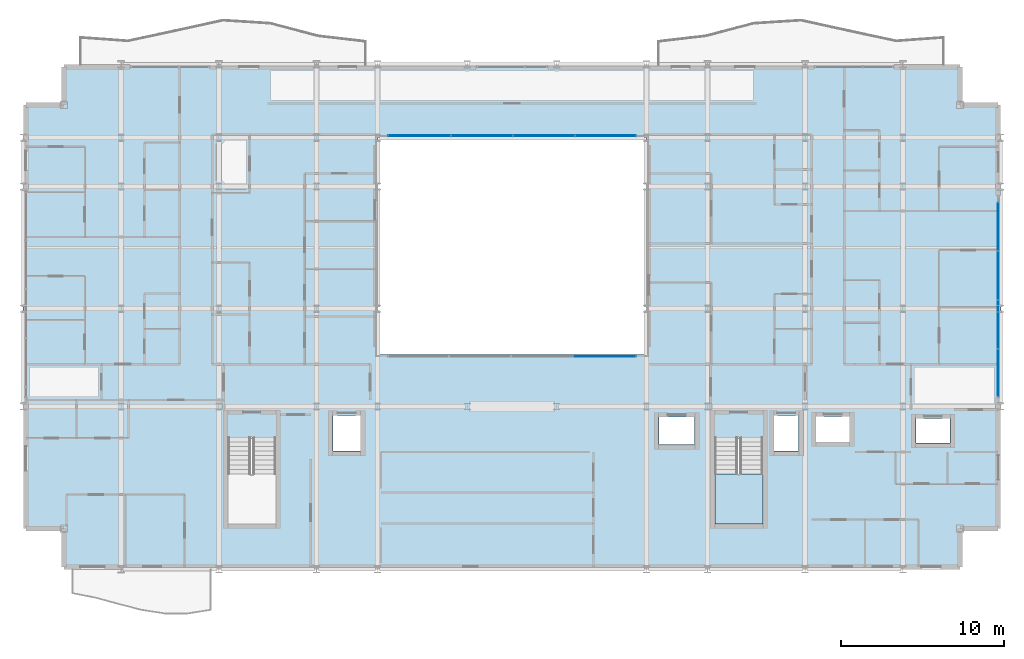
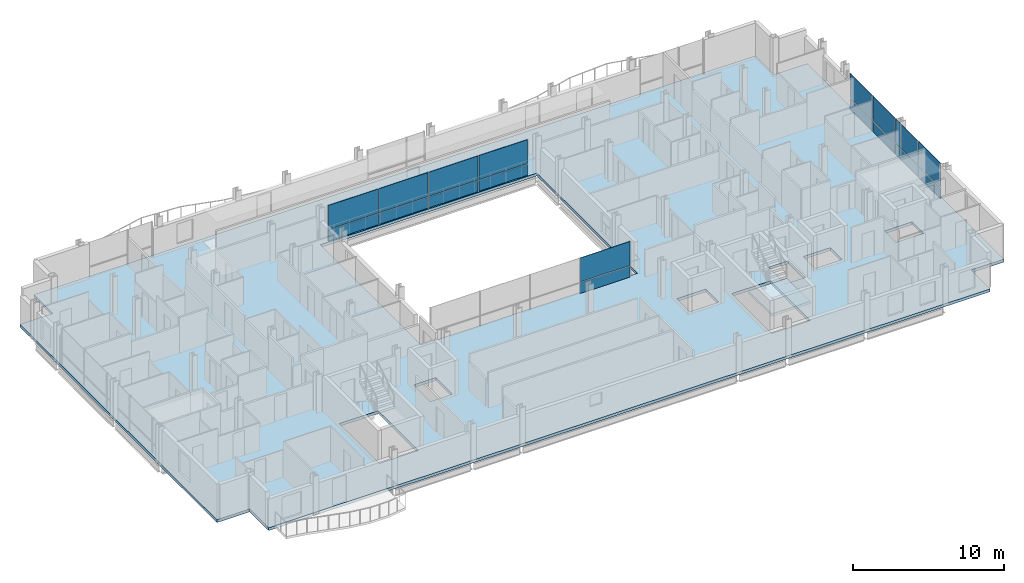
# One storey, part 27 of 40: 18 plates, 2 slabs, 4 elements without a shape of their own.
"""IFC4 building model written with IfcOpenShell, lengths in metres."""

from ifc_helpers import new_model, si_unit, direction, frame, origin, origin_2d, place, context, subcontext, project, spatial, polyline, rectangle, outline, extrude, material, layer, layer_set, type_object, element, aggregate, save


model = new_model("IFC4")

# Units and contexts
model_context = context("Model", 3, precision=1e-05, world=origin(), true_north=direction((0.0, 1.0)))
body_context = subcontext(model_context, "Body", "Model", "MODEL_VIEW")
ifc_project = project(units=[si_unit("LENGTHUNIT", "METRE"), si_unit("AREAUNIT", "SQUARE_METRE"), si_unit("VOLUMEUNIT", "CUBIC_METRE"), si_unit("PLANEANGLEUNIT", "RADIAN"), si_unit("MASSUNIT", "GRAM", prefix="KILO")], contexts=[model_context])

# Site, building, storey
site_placement = place(None, origin())
site = spatial("IfcSite", under=ifc_project, at=site_placement, CompositionType="ELEMENT")
building_placement = place(site_placement, origin())
building = spatial("IfcBuilding", under=site, at=building_placement, Name="Brevholm Reach", CompositionType="ELEMENT")
storey_placement = place(building_placement, frame((0.0, 0.0, 62.10009765625)))
storey = spatial("IfcBuildingStorey", under=building, at=storey_placement, Name="L17", CompositionType="ELEMENT", Elevation=62.10009765625)

# Curtain wall, plates
ifc_material_1 = material(Name="Dark Anodised Aluminium 6063-T6 and Solar-Control Glass", Category="aluminium")
ifc_layer_1 = layer(ifc_material_1, 0.14990234375)
ifc_layer_set_1 = layer_set([ifc_layer_1], Name="Dark Anodised Aluminium 6063-T6 and Solar-Control Glass")
curtain_wall_type_1 = type_object("IfcCurtainWallType", Name="CW-01", PredefinedType="NOTDEFINED", material=ifc_layer_set_1)
curtain_wall_1_placement = place(storey_placement, origin())
curtain_wall_1 = element("IfcCurtainWall", 1, at=curtain_wall_1_placement, inside=storey, type_object=curtain_wall_type_1, Name="L17 Curtain Wall CW-01", PredefinedType="NOTDEFINED")
ifc_material_2 = material(Name="Dark Solar-Control Double-Glazed IGU Glass", Category="glass")
ifc_layer_2 = layer(ifc_material_2, 0.028076171875)
ifc_layer_set_2 = layer_set([ifc_layer_2], Name="Dark Solar-Control Double-Glazed IGU Glass")
plate_type_1 = type_object("IfcPlateType", Name="CWP-GLZ-28", PredefinedType="CURTAIN_PANEL", material=ifc_layer_set_2)
plate_1_placement = place(storey_placement, frame((59.85009765625, 12.066162109375, 0.0), z_axis=(0.0, 0.0, 1.0), x_axis=(0.0, 1.0, 0.0)))
plate_1 = element("IfcPlate", 2, at=plate_1_placement, type_object=plate_type_1, Name="CP-01 Glazing Panel 1.1", PredefinedType="CURTAIN_PANEL", context=body_context, shape_type="SweptSolid", body=[
    extrude(rectangle(XDim=2.902587890625, YDim=0.028076171875, at=origin_2d()), origin(), (0.0, 0.0, 1.0), 0.867431640625),
])
plate_2_placement = place(storey_placement, frame((59.85009765625, 12.066162109375, 0.932373046875), z_axis=(0.0, 0.0, 1.0), x_axis=(0.0, 1.0, 0.0)))
plate_2 = element("IfcPlate", 3, at=plate_2_placement, type_object=plate_type_1, Name="CP-01 Glazing Panel 1.2", PredefinedType="CURTAIN_PANEL", context=body_context, shape_type="SweptSolid", body=[
    extrude(rectangle(XDim=2.902587890625, YDim=0.028076171875, at=origin_2d()), origin(), (0.0, 0.0, 1.0), 1.9375),
])
plate_3_placement = place(storey_placement, frame((59.85009765625, 15.050048828125, 0.0), z_axis=(0.0, 0.0, 1.0), x_axis=(0.0, 1.0, 0.0)))
plate_3 = element("IfcPlate", 4, at=plate_3_placement, type_object=plate_type_1, Name="CP-01 Glazing Panel 2.1", PredefinedType="CURTAIN_PANEL", context=body_context, shape_type="SweptSolid", body=[
    extrude(rectangle(XDim=2.93505859375, YDim=0.028076171875, at=origin_2d()), origin(), (0.0, 0.0, 1.0), 0.867431640625),
])
plate_4_placement = place(storey_placement, frame((59.85009765625, 15.050048828125, 0.932373046875), z_axis=(0.0, 0.0, 1.0), x_axis=(0.0, 1.0, 0.0)))
plate_4 = element("IfcPlate", 5, at=plate_4_placement, type_object=plate_type_1, Name="CP-01 Glazing Panel 2.2", PredefinedType="CURTAIN_PANEL", context=body_context, shape_type="SweptSolid", body=[
    extrude(rectangle(XDim=2.93505859375, YDim=0.028076171875, at=origin_2d()), origin(), (0.0, 0.0, 1.0), 1.9375),
])
plate_5_placement = place(storey_placement, frame((59.85009765625, 18.050048828125, 0.0), z_axis=(0.0, 0.0, 1.0), x_axis=(0.0, 1.0, 0.0)))
plate_5 = element("IfcPlate", 6, at=plate_5_placement, type_object=plate_type_1, Name="CP-01 Glazing Panel 3.1", PredefinedType="CURTAIN_PANEL", context=body_context, shape_type="SweptSolid", body=[
    extrude(rectangle(XDim=2.93505859375, YDim=0.028076171875, at=origin_2d()), origin(), (0.0, 0.0, 1.0), 0.867431640625),
])
plate_6_placement = place(storey_placement, frame((59.85009765625, 18.050048828125, 0.932373046875), z_axis=(0.0, 0.0, 1.0), x_axis=(0.0, 1.0, 0.0)))
plate_6 = element("IfcPlate", 7, at=plate_6_placement, type_object=plate_type_1, Name="CP-01 Glazing Panel 3.2", PredefinedType="CURTAIN_PANEL", context=body_context, shape_type="SweptSolid", body=[
    extrude(rectangle(XDim=2.93505859375, YDim=0.028076171875, at=origin_2d()), origin(), (0.0, 0.0, 1.0), 1.9375),
])
plate_7_placement = place(storey_placement, frame((59.85009765625, 21.050048828125, 0.0), z_axis=(0.0, 0.0, 1.0), x_axis=(0.0, 1.0, 0.0)))
plate_7 = element("IfcPlate", 8, at=plate_7_placement, type_object=plate_type_1, Name="CP-01 Glazing Panel 4.1", PredefinedType="CURTAIN_PANEL", context=body_context, shape_type="SweptSolid", body=[
    extrude(rectangle(XDim=2.93505859375, YDim=0.028076171875, at=origin_2d()), origin(), (0.0, 0.0, 1.0), 0.867431640625),
])
plate_8_placement = place(storey_placement, frame((59.85009765625, 21.050048828125, 0.932373046875), z_axis=(0.0, 0.0, 1.0), x_axis=(0.0, 1.0, 0.0)))
plate_8 = element("IfcPlate", 9, at=plate_8_placement, type_object=plate_type_1, Name="CP-01 Glazing Panel 4.2", PredefinedType="CURTAIN_PANEL", context=body_context, shape_type="SweptSolid", body=[
    extrude(rectangle(XDim=2.93505859375, YDim=0.028076171875, at=origin_2d()), origin(), (0.0, 0.0, 1.0), 1.9375),
])
aggregate(curtain_wall_1, [plate_1, plate_2, plate_3, plate_4, plate_5, plate_6, plate_7, plate_8])

ifc_material_3 = material(Name="Dark Anodised Aluminium 6063-T6 and Solar-Control Glass", Category="aluminium")
ifc_layer_3 = layer(ifc_material_3, 0.139892578125)
ifc_layer_set_3 = layer_set([ifc_layer_3], Name="Dark Anodised Aluminium 6063-T6 and Solar-Control Glass")
curtain_wall_type_2 = type_object("IfcCurtainWallType", Name="CW-02", PredefinedType="NOTDEFINED", material=ifc_layer_set_3)
curtain_wall_2_placement = place(storey_placement, origin())
curtain_wall_2 = element("IfcCurtainWall", 10, at=curtain_wall_2_placement, inside=storey, type_object=curtain_wall_type_2, Name="L17 Curtain Wall CW-02", PredefinedType="NOTDEFINED")
ifc_material_4 = material(Name="Low-Iron Laminated Acoustic Glass", Category="glass")
ifc_layer_4 = layer(ifc_material_4, 0.035888671875)
ifc_layer_set_4 = layer_set([ifc_layer_4], Name="Low-Iron Laminated Acoustic Glass")
plate_type_2 = type_object("IfcPlateType", Name="CWP-GLZ-36", PredefinedType="CURTAIN_PANEL", material=ifc_layer_set_4)
plate_9_placement = place(storey_placement, frame((35.68505859375, 13.080078125, -0.000244140625), z_axis=(0.0, 0.0, 1.0), x_axis=(1.0, 0.0, 0.0)))
plate_9 = element("IfcPlate", 11, at=plate_9_placement, type_object=plate_type_2, Name="CP-02 Glazing Panel 4.1", PredefinedType="CURTAIN_PANEL", context=body_context, shape_type="SweptSolid", body=[
    extrude(rectangle(XDim=3.81005859375, YDim=0.035888671875, at=origin_2d()), origin(), (0.0, 0.0, 1.0), 0.8701171875),
])
plate_10_placement = place(storey_placement, frame((35.68505859375, 13.080078125, 0.929931640625), z_axis=(0.0, 0.0, 1.0), x_axis=(1.0, 0.0, 0.0)))
plate_10 = element("IfcPlate", 12, at=plate_10_placement, type_object=plate_type_2, Name="CP-02 Glazing Panel 4.2", PredefinedType="CURTAIN_PANEL", context=body_context, shape_type="SweptSolid", body=[
    extrude(rectangle(XDim=3.81005859375, YDim=0.035888671875, at=origin_2d()), origin(), (0.0, 0.0, 1.0), 1.93994140625),
])
aggregate(curtain_wall_2, [plate_9, plate_10])

curtain_wall_3_placement = place(storey_placement, origin())
curtain_wall_3 = element("IfcCurtainWall", 13, at=curtain_wall_3_placement, inside=storey, type_object=curtain_wall_type_2, Name="L17 Curtain Wall CW-02", PredefinedType="NOTDEFINED")
plate_11_placement = place(storey_placement, frame((35.735107421875, 26.6201171875, -0.000244140625), z_axis=(0.0, 0.0, 1.0), x_axis=(-1.0, 0.0, 0.0)))
plate_11 = element("IfcPlate", 14, at=plate_11_placement, type_object=plate_type_2, Name="CP-02 Glazing Panel 1.1", PredefinedType="CURTAIN_PANEL", context=body_context, shape_type="SweptSolid", body=[
    extrude(rectangle(XDim=3.7099609375, YDim=0.035888671875, at=origin_2d()), origin(), (0.0, 0.0, 1.0), 0.8701171875),
])
plate_12_placement = place(storey_placement, frame((35.735107421875, 26.6201171875, 0.929931640625), z_axis=(0.0, 0.0, 1.0), x_axis=(-1.0, 0.0, 0.0)))
plate_12 = element("IfcPlate", 15, at=plate_12_placement, type_object=plate_type_2, Name="CP-02 Glazing Panel 1.2", PredefinedType="CURTAIN_PANEL", context=body_context, shape_type="SweptSolid", body=[
    extrude(rectangle(XDim=3.7099609375, YDim=0.035888671875, at=origin_2d()), origin(), (0.0, 0.0, 1.0), 1.93994140625),
])
plate_13_placement = place(storey_placement, frame((31.949951171875, 26.6201171875, -0.000244140625), z_axis=(0.0, 0.0, 1.0), x_axis=(-1.0, 0.0, 0.0)))
plate_13 = element("IfcPlate", 16, at=plate_13_placement, type_object=plate_type_2, Name="CP-02 Glazing Panel 2.1", PredefinedType="CURTAIN_PANEL", context=body_context, shape_type="SweptSolid", body=[
    extrude(rectangle(XDim=3.739990234375, YDim=0.035888671875, at=origin_2d()), origin(), (0.0, 0.0, 1.0), 0.8701171875),
])
plate_14_placement = place(storey_placement, frame((31.949951171875, 26.6201171875, 0.929931640625), z_axis=(0.0, 0.0, 1.0), x_axis=(-1.0, 0.0, 0.0)))
plate_14 = element("IfcPlate", 17, at=plate_14_placement, type_object=plate_type_2, Name="CP-02 Glazing Panel 2.2", PredefinedType="CURTAIN_PANEL", context=body_context, shape_type="SweptSolid", body=[
    extrude(rectangle(XDim=3.739990234375, YDim=0.035888671875, at=origin_2d()), origin(), (0.0, 0.0, 1.0), 1.93994140625),
])
plate_15_placement = place(storey_placement, frame((28.14990234375, 26.6201171875, -0.000244140625), z_axis=(0.0, 0.0, 1.0), x_axis=(-1.0, 0.0, 0.0)))
plate_15 = element("IfcPlate", 18, at=plate_15_placement, type_object=plate_type_2, Name="CP-02 Glazing Panel 3.1", PredefinedType="CURTAIN_PANEL", context=body_context, shape_type="SweptSolid", body=[
    extrude(rectangle(XDim=3.739990234375, YDim=0.035888671875, at=origin_2d()), origin(), (0.0, 0.0, 1.0), 0.8701171875),
])
plate_16_placement = place(storey_placement, frame((28.14990234375, 26.6201171875, 0.929931640625), z_axis=(0.0, 0.0, 1.0), x_axis=(-1.0, 0.0, 0.0)))
plate_16 = element("IfcPlate", 19, at=plate_16_placement, type_object=plate_type_2, Name="CP-02 Glazing Panel 3.2", PredefinedType="CURTAIN_PANEL", context=body_context, shape_type="SweptSolid", body=[
    extrude(rectangle(XDim=3.739990234375, YDim=0.035888671875, at=origin_2d()), origin(), (0.0, 0.0, 1.0), 1.93994140625),
])
plate_17_placement = place(storey_placement, frame((24.31494140625, 26.6201171875, -0.000244140625), z_axis=(0.0, 0.0, 1.0), x_axis=(-1.0, 0.0, 0.0)))
plate_17 = element("IfcPlate", 20, at=plate_17_placement, type_object=plate_type_2, Name="CP-02 Glazing Panel 4.1", PredefinedType="CURTAIN_PANEL", context=body_context, shape_type="SweptSolid", body=[
    extrude(rectangle(XDim=3.81005859375, YDim=0.035888671875, at=origin_2d()), origin(), (0.0, 0.0, 1.0), 0.8701171875),
])
plate_18_placement = place(storey_placement, frame((24.31494140625, 26.6201171875, 0.929931640625), z_axis=(0.0, 0.0, 1.0), x_axis=(-1.0, 0.0, 0.0)))
plate_18 = element("IfcPlate", 21, at=plate_18_placement, type_object=plate_type_2, Name="CP-02 Glazing Panel 4.2", PredefinedType="CURTAIN_PANEL", context=body_context, shape_type="SweptSolid", body=[
    extrude(rectangle(XDim=3.81005859375, YDim=0.035888671875, at=origin_2d()), origin(), (0.0, 0.0, 1.0), 1.93994140625),
])
aggregate(curtain_wall_3, [plate_11, plate_12, plate_13, plate_14, plate_15, plate_16, plate_17, plate_18])

# Slab
ifc_material_5 = material(Name="Concrete C40/50", Category="concrete")
ifc_layer_5 = layer(ifc_material_5, 0.22998046875)
ifc_layer_set_5 = layer_set([ifc_layer_5], Name="Concrete C40/50")
slab_type_1 = type_object("IfcSlabType", Name="SLB-FL-230", PredefinedType="FLOOR", material=ifc_layer_set_5)
slab_1_placement = place(storey_placement, frame((0.0, 0.0, -0.22998046875)))
element("IfcSlab", 22, at=slab_1_placement, inside=storey, type_object=slab_type_1, Name="L17 Suspended Floor Slab (main)", PredefinedType="FLOOR", context=body_context, shape_type="SweptSolid", body=[
    extrude(outline(polyline([(2.5, 0.0), (57.5, 0.0), (57.5, 2.5), (60.0, 2.5), (60.0, 28.5), (57.5, 28.5), (57.5, 31.0), (2.5, 31.0), (2.5, 28.5), (0.0, 28.5), (0.0, 2.5), (2.5, 2.5), (2.5, 0.0)]), holes=[polyline([(21.75, 13.199951171875), (38.25, 13.199951171875), (38.25, 26.5), (21.75, 26.5), (21.75, 13.199951171875)]), polyline([(12.550048828125, 2.780029296875), (15.5, 2.780029296875), (15.5, 8.044921875), (12.550048828125, 8.044921875), (12.550048828125, 2.780029296875)]), polyline([(42.449951171875, 2.780029296875), (45.39990234375, 2.780029296875), (45.39990234375, 8.044921875), (42.449951171875, 8.044921875), (42.449951171875, 2.780029296875)]), polyline([(19.0, 7.25), (20.699951171875, 7.25), (20.699951171875, 9.449951171875), (19.0, 9.449951171875), (19.0, 7.25)]), polyline([(46.10009765625, 7.25), (47.60009765625, 7.25), (47.60009765625, 9.449951171875), (46.10009765625, 9.449951171875), (46.10009765625, 7.25)]), polyline([(48.675048828125, 7.824951171875), (50.72509765625, 7.824951171875), (50.72509765625, 9.375), (48.675048828125, 9.375), (48.675048828125, 7.824951171875)]), polyline([(54.800048828125, 7.75), (56.89990234375, 7.75), (56.89990234375, 9.25), (54.800048828125, 9.25), (54.800048828125, 7.75)]), polyline([(39.02001953125, 7.64990234375), (41.219970703125, 7.64990234375), (41.219970703125, 9.35009765625), (39.02001953125, 9.35009765625), (39.02001953125, 7.64990234375)])]), origin(), (0.0, 0.0, 1.0), 0.22998046875),
])

# Stair, slab
ifc_material_6 = material(Name="Precast Concrete C40/50", Category="concrete")
stair_type = type_object("IfcStairType", Name="STR-ESC-1400", PredefinedType="DOUBLE_RETURN_STAIR", material=ifc_material_6)
stair_placement = place(storey_placement, origin())
stair = element("IfcStair", 23, at=stair_placement, inside=storey, type_object=stair_type, Name="L17 ST-2", PredefinedType="DOUBLE_RETURN_STAIR")
ifc_material_7 = material(Name="Concrete C40/50", Category="concrete")
ifc_layer_6 = layer(ifc_material_7, 0.199951171875)
ifc_layer_set_6 = layer_set([ifc_layer_6], Name="Concrete C40/50")
slab_type_2 = type_object("IfcSlabType", Name="SLB-LND-200", PredefinedType="LANDING", material=ifc_layer_set_6)
slab_2_placement = place(storey_placement, frame((0.0, 0.0, 1.349853515625)))
slab_2 = element("IfcSlab", 24, at=slab_2_placement, type_object=slab_type_2, Name="ST-2 landing 1", PredefinedType="LANDING", context=body_context, shape_type="SweptSolid", body=[
    extrude(outline(polyline([(42.449951171875, 5.860107421875), (42.449951171875, 2.780029296875), (45.39990234375, 2.780029296875), (45.39990234375, 5.860107421875), (42.449951171875, 5.860107421875)])), origin(), (0.0, 0.0, 1.0), 0.199951171875),
])
aggregate(stair, [slab_2])

save(model, "model.ifc")
